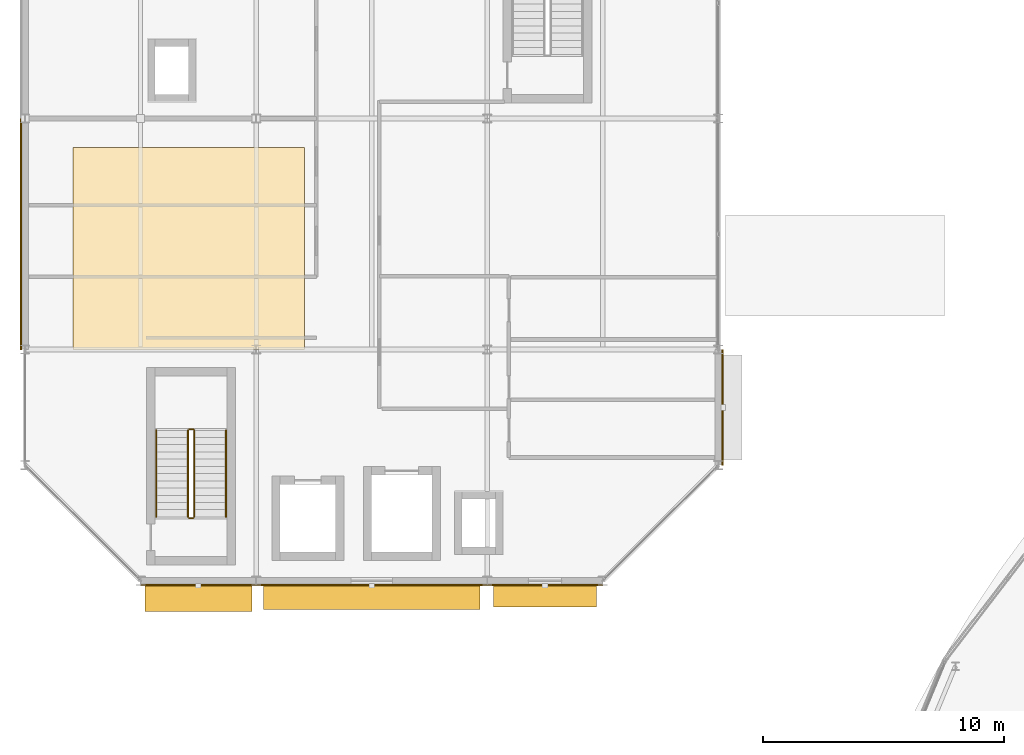
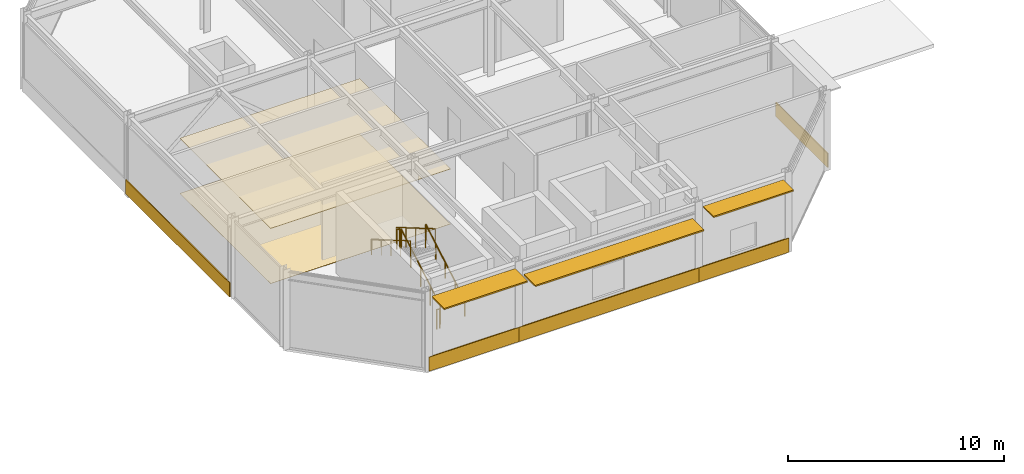
# One storey, part 120 of 133: 7 coverings, 6 railings, 3 shading devices.
"""IFC4 building model written with IfcOpenShell, lengths in metres."""

from ifc_helpers import new_model, si_unit, direction, frame, origin, origin_2d, place, context, subcontext, project, spatial, polyline, rectangle, circle, outline, extrude, material, layer, layer_set, type_object, element, save


model = new_model("IFC4")

# Units and contexts
model_context = context("Model", 3, precision=1e-05, world=origin(), true_north=direction((0.0, 1.0)))
body_context = subcontext(model_context, "Body", "Model", "MODEL_VIEW")
ifc_project = project(units=[si_unit("LENGTHUNIT", "METRE"), si_unit("AREAUNIT", "SQUARE_METRE"), si_unit("VOLUMEUNIT", "CUBIC_METRE"), si_unit("PLANEANGLEUNIT", "RADIAN"), si_unit("MASSUNIT", "GRAM", prefix="KILO")], contexts=[model_context])

# Site, building, storey
site_placement = place(None, origin())
site = spatial("IfcSite", under=ifc_project, at=site_placement, CompositionType="ELEMENT")
building_placement = place(site_placement, origin())
building = spatial("IfcBuilding", under=site, at=building_placement, Name="Almandine Court Research Institute", CompositionType="ELEMENT")
storey_placement = place(building_placement, frame((0.0, 0.0, 9.800048828125)))
storey = spatial("IfcBuildingStorey", under=building, at=storey_placement, Name="L02", CompositionType="ELEMENT", Elevation=9.800048828125)

# Coverings
ifc_material_1 = material(Name="Mineral Fibre Acoustic Suspended Ceiling Tile")
ifc_layer_1 = layer(ifc_material_1, 0.02490234375)
ifc_layer_set_1 = layer_set([ifc_layer_1], Name="Mineral Fibre Acoustic Suspended Ceiling Tile")
covering_type_1 = type_object("IfcCoveringType", Name="Cov-CEIL-ACOU", PredefinedType="CEILING", material=ifc_layer_set_1)
covering_1_placement = place(storey_placement, frame((0.0, 0.0, 3.099853515625)))
element("IfcCovering", 1, at=covering_1_placement, inside=storey, type_object=covering_type_1, Name="L02 Cleanroom and Laboratory Suspended Ceiling", PredefinedType="CEILING", context=body_context, shape_type="SweptSolid", body=[
    extrude(outline(polyline([(8.0, 93.60009765625), (17.60009765625, 93.60009765625), (17.60009765625, 102.0), (8.0, 102.0), (8.0, 93.60009765625)])), origin(), (0.0, 0.0, 1.0), 0.025146484375),
])
ifc_material_2 = material(Name="Extruded Cream-Ochre Seismic Terracotta Spandrel", Category="masonry")
ifc_layer_2 = layer(ifc_material_2, 0.054931640625)
ifc_layer_set_2 = layer_set([ifc_layer_2], Name="Extruded Cream-Ochre Seismic Terracotta Spandrel")
covering_type_2 = type_object("IfcCoveringType", Name="Cov-CLAD-TERR", PredefinedType="CLADDING", material=ifc_layer_set_2)
covering_2_placement = place(storey_placement, frame((5.830078125, 98.39990234375, 0.02001953125), z_axis=(0.0, 0.0, 1.0), x_axis=(0.0, 1.0, 0.0)))
element("IfcCovering", 2, at=covering_2_placement, inside=storey, type_object=covering_type_2, Name="L02 Facade Spandrel Cladding Band 58", PredefinedType="CLADDING", context=body_context, shape_type="SweptSolid", body=[
    extrude(rectangle(XDim=9.592041015625, YDim=0.054931640625, at=origin_2d()), origin(), (0.0, 0.0, 1.0), 0.800048828125),
])
for number, where, z_axis, x_axis, name in (
    (3, (34.969970703125, 91.199951171875, 0.02001953125), (0.0, 0.0, 1.0), (0.0, -1.0, 0.0), "L02 Facade Spandrel Cladding Band 63"),
    (4, (27.60009765625, 83.8291015625, 0.02001953125), (0.0, 0.0, 1.0), (-1.0, 0.0, 0.0), "L02 Facade Spandrel Cladding Band 64"),
):
    element("IfcCovering", number, at=place(storey_placement, frame(where, z_axis=z_axis, x_axis=x_axis)), inside=storey, type_object=covering_type_2, Name=name, PredefinedType="CLADDING", context=body_context, shape_type="SweptSolid", body=[
        extrude(rectangle(XDim=4.7919921875, YDim=0.054931640625, at=origin_2d()), origin(), (0.0, 0.0, 1.0), 0.800048828125),
    ])
covering_3_placement = place(storey_placement, frame((20.39990234375, 83.8291015625, 0.02001953125), z_axis=(0.0, 0.0, 1.0), x_axis=(-1.0, 0.0, 0.0)))
element("IfcCovering", 5, at=covering_3_placement, inside=storey, type_object=covering_type_2, Name="L02 Facade Spandrel Cladding Band 65", PredefinedType="CLADDING", context=body_context, shape_type="SweptSolid", body=[
    extrude(rectangle(XDim=9.592041015625, YDim=0.054931640625, at=origin_2d()), origin(), (0.0, 0.0, 1.0), 0.800048828125),
])
covering_4_placement = place(storey_placement, frame((13.199951171875, 83.8291015625, 0.02001953125), z_axis=(0.0, 0.0, 1.0), x_axis=(-1.0, 0.0, 0.0)))
element("IfcCovering", 6, at=covering_4_placement, inside=storey, type_object=covering_type_2, Name="L02 Facade Spandrel Cladding Band 66", PredefinedType="CLADDING", context=body_context, shape_type="SweptSolid", body=[
    extrude(rectangle(XDim=4.7919921875, YDim=0.054931640625, at=origin_2d()), origin(), (0.0, 0.0, 1.0), 0.800048828125),
])
ifc_material_3 = material(Name="Seamless Chemical-Resistant Cleanroom Epoxy Flooring")
ifc_layer_3 = layer(ifc_material_3, 0.011962890625)
ifc_layer_set_3 = layer_set([ifc_layer_3], Name="Seamless Chemical-Resistant Cleanroom Epoxy Flooring")
covering_type_3 = type_object("IfcCoveringType", Name="Cov-FLR-EPOXY", PredefinedType="FLOORING", material=ifc_layer_set_3)
covering_5_placement = place(storey_placement, origin())
element("IfcCovering", 7, at=covering_5_placement, inside=storey, type_object=covering_type_3, Name="L02 Cleanroom Seamless Epoxy Flooring", PredefinedType="FLOORING", context=body_context, shape_type="SweptSolid", body=[
    extrude(outline(polyline([(8.0, 93.60009765625), (17.60009765625, 93.60009765625), (17.60009765625, 102.0), (8.0, 102.0), (8.0, 93.60009765625)])), origin(), (0.0, 0.0, 1.0), 0.011962890625),
])

# Railings
ifc_material_4 = material(Name="Powder-Coated Steel Stair and Atrium Balustrade", Category="steel")
railing_type_1 = type_object("IfcRailingType", Name="Rail-GUARD-INT", PredefinedType="BALUSTRADE", material=ifc_material_4)
railing_1_placement = place(storey_placement, frame((13.030029296875, 86.64990234375, 0.175048828125)))
element("IfcRailing", 8, at=railing_1_placement, inside=storey, type_object=railing_type_1, Name="L02 ST-05 stair guard 1", PredefinedType="BALUSTRADE", context=body_context, shape_type="SweptSolid", body=[
    extrude(circle(Radius=0.02392578125, at=origin_2d()), frame((0.0, 0.0, 1.09619140625), z_axis=(0.0, 0.863800146258, 0.503834603144), x_axis=(-1.0, 0.0, 0.0)), (0.0, 0.0, 1.0), 4.167724609375),
    extrude(circle(Radius=0.02099609375, at=origin_2d()), origin(), (0.0, 0.0, 1.0), 1.072021484375),
    extrude(circle(Radius=0.02099609375, at=origin_2d()), frame((0.0, 0.89990234375, 0.52490234375)), (0.0, 0.0, 1.0), 1.072021484375),
    extrude(circle(Radius=0.02099609375, at=origin_2d()), frame((0.0, 1.800048828125, 1.0498046875)), (0.0, 0.0, 1.0), 1.072021484375),
    extrude(circle(Radius=0.02099609375, at=origin_2d()), frame((0.0, 2.7001953125, 1.574951171875)), (0.0, 0.0, 1.0), 1.072021484375),
    extrude(circle(Radius=0.02099609375, at=origin_2d()), frame((0.0, 3.60009765625, 2.099853515625)), (0.0, 0.0, 1.0), 1.072021484375),
])
railing_2_placement = place(storey_placement, frame((12.97998046875, 90.300048828125, 2.27490234375)))
element("IfcRailing", 9, at=railing_2_placement, inside=storey, type_object=railing_type_1, Name="L02 ST-05 stair guard 2", PredefinedType="BALUSTRADE", context=body_context, shape_type="SweptSolid", body=[
    extrude(circle(Radius=0.02392578125, at=origin_2d()), frame((0.0, 0.0, 1.09619140625), z_axis=(-1.0, 0.0, 0.0), x_axis=(0.0, -1.0, 0.0)), (0.0, 0.0, 1.0), 0.159912109375),
    extrude(circle(Radius=0.02099609375, at=origin_2d()), origin(), (0.0, 0.0, 1.0), 1.072021484375),
    extrude(circle(Radius=0.02099609375, at=origin_2d()), frame((-0.159912109375, 0.0, 0.0)), (0.0, 0.0, 1.0), 1.072021484375),
])
railing_3_placement = place(storey_placement, frame((12.77001953125, 90.25, 2.449951171875)))
element("IfcRailing", 10, at=railing_3_placement, inside=storey, type_object=railing_type_1, Name="L02 ST-05 stair guard 3", PredefinedType="BALUSTRADE", context=body_context, shape_type="SweptSolid", body=[
    extrude(circle(Radius=0.02392578125, at=origin_2d()), frame((0.0, 0.0, 1.09619140625), z_axis=(0.0, -0.863774651768, 0.503878309678), x_axis=(1.0, 0.0, 0.0)), (0.0, 0.0, 1.0), 4.16796875),
    extrude(circle(Radius=0.02099609375, at=origin_2d()), origin(), (0.0, 0.0, 1.0), 1.072021484375),
    extrude(circle(Radius=0.02099609375, at=origin_2d()), frame((0.0, -0.89990234375, 0.52490234375)), (0.0, 0.0, 1.0), 1.072021484375),
    extrude(circle(Radius=0.02099609375, at=origin_2d()), frame((0.0, -1.800048828125, 1.050048828125)), (0.0, 0.0, 1.0), 1.072021484375),
    extrude(circle(Radius=0.02099609375, at=origin_2d()), frame((0.0, -2.7001953125, 1.5751953125)), (0.0, 0.0, 1.0), 1.072021484375),
    extrude(circle(Radius=0.02099609375, at=origin_2d()), frame((0.0, -3.60009765625, 2.10009765625)), (0.0, 0.0, 1.0), 1.072021484375),
])
railing_4_placement = place(storey_placement, frame((12.97998046875, 86.60009765625, 0.0)))
element("IfcRailing", 11, at=railing_4_placement, inside=storey, type_object=railing_type_1, Name="L02 ST-05 stair guard 4", PredefinedType="BALUSTRADE", context=body_context, shape_type="SweptSolid", body=[
    extrude(circle(Radius=0.02392578125, at=origin_2d()), frame((0.0, 0.0, 1.09619140625), z_axis=(-1.0, 0.0, 0.0), x_axis=(0.0, -1.0, 0.0)), (0.0, 0.0, 1.0), 0.159912109375),
    extrude(circle(Radius=0.02099609375, at=origin_2d()), origin(), (0.0, 0.0, 1.0), 1.072021484375),
    extrude(circle(Radius=0.02099609375, at=origin_2d()), frame((-0.159912109375, 0.0, 0.0)), (0.0, 0.0, 1.0), 1.072021484375),
])
ifc_material_5 = material(Name="Brushed Stainless Steel Wall Handrail", Category="steel")
railing_type_2 = type_object("IfcRailingType", Name="Rail-HAND-INT", PredefinedType="HANDRAIL", material=ifc_material_5)
railing_5_placement = place(storey_placement, frame((14.35009765625, 86.64990234375, 0.175048828125)))
element("IfcRailing", 12, at=railing_5_placement, inside=storey, type_object=railing_type_2, Name="L02 ST-05 stair handrail 1", PredefinedType="HANDRAIL", context=body_context, shape_type="SweptSolid", body=[
    extrude(circle(Radius=0.02392578125, at=origin_2d()), frame((0.0, 0.0, 0.8759765625), z_axis=(0.0, 0.863800146258, 0.503834603144), x_axis=(-1.0, 0.0, 0.0)), (0.0, 0.0, 1.0), 4.167724609375),
    extrude(circle(Radius=0.02099609375, at=origin_2d()), origin(), (0.0, 0.0, 1.0), 0.851806640625),
    extrude(circle(Radius=0.02099609375, at=origin_2d()), frame((0.0, 0.89990234375, 0.52490234375)), (0.0, 0.0, 1.0), 0.851806640625),
    extrude(circle(Radius=0.02099609375, at=origin_2d()), frame((0.0, 1.800048828125, 1.0498046875)), (0.0, 0.0, 1.0), 0.851806640625),
    extrude(circle(Radius=0.02099609375, at=origin_2d()), frame((0.0, 2.7001953125, 1.574951171875)), (0.0, 0.0, 1.0), 0.851806640625),
    extrude(circle(Radius=0.02099609375, at=origin_2d()), frame((0.0, 3.60009765625, 2.099853515625)), (0.0, 0.0, 1.0), 0.851806640625),
])
railing_6_placement = place(storey_placement, frame((11.449951171875, 90.25, 2.449951171875)))
element("IfcRailing", 13, at=railing_6_placement, inside=storey, type_object=railing_type_2, Name="L02 ST-05 stair handrail 2", PredefinedType="HANDRAIL", context=body_context, shape_type="SweptSolid", body=[
    extrude(circle(Radius=0.02392578125, at=origin_2d()), frame((0.0, 0.0, 0.8759765625), z_axis=(0.0, -0.863774651768, 0.503878309678), x_axis=(1.0, 0.0, 0.0)), (0.0, 0.0, 1.0), 4.16796875),
    extrude(circle(Radius=0.02099609375, at=origin_2d()), origin(), (0.0, 0.0, 1.0), 0.851806640625),
    extrude(circle(Radius=0.02099609375, at=origin_2d()), frame((0.0, -0.89990234375, 0.52490234375)), (0.0, 0.0, 1.0), 0.851806640625),
    extrude(circle(Radius=0.02099609375, at=origin_2d()), frame((0.0, -1.800048828125, 1.050048828125)), (0.0, 0.0, 1.0), 0.851806640625),
    extrude(circle(Radius=0.02099609375, at=origin_2d()), frame((0.0, -2.7001953125, 1.5751953125)), (0.0, 0.0, 1.0), 0.851806640625),
    extrude(circle(Radius=0.02099609375, at=origin_2d()), frame((0.0, -3.60009765625, 2.10009765625)), (0.0, 0.0, 1.0), 0.851806640625),
])

# Shading devices
ifc_material_6 = material(Name="Precast GFRC Chhajja Sunshade and Acoustic Louvre", Category="concrete")
ifc_layer_4 = layer(ifc_material_6, 0.080078125)
ifc_layer_set_4 = layer_set([ifc_layer_4], Name="Precast GFRC Chhajja Sunshade and Acoustic Louvre")
shading_device_type_1 = type_object("IfcShadingDeviceType", Name="Shd-SD-25", PredefinedType="AWNING", material=ifc_layer_set_4)
shading_device_1_placement = place(storey_placement, frame((27.60009765625, 83.389892578125, 4.08984375), z_axis=(0.0, 0.0, 1.0), x_axis=(-1.0, 0.0, 0.0)))
element("IfcShadingDevice", 14, at=shading_device_1_placement, inside=storey, type_object=shading_device_type_1, Name="L02 Projecting Chhajja Sunshade 34", PredefinedType="AWNING", context=body_context, shape_type="SweptSolid", body=[
    extrude(rectangle(XDim=4.281982421875, YDim=0.949951171875, at=origin_2d()), origin(), (0.0, 0.0, 1.0), 0.080078125),
])
ifc_layer_5 = layer(ifc_material_6, 0.080078125)
ifc_layer_set_5 = layer_set([ifc_layer_5], Name="Precast GFRC Chhajja Sunshade and Acoustic Louvre")
shading_device_type_2 = type_object("IfcShadingDeviceType", Name="Shd-SD-26", PredefinedType="AWNING", material=ifc_layer_set_5)
shading_device_2_placement = place(storey_placement, frame((20.39990234375, 83.340087890625, 3.60400390625), z_axis=(0.0, 0.0, 1.0), x_axis=(-1.0, 0.0, 0.0)))
element("IfcShadingDevice", 15, at=shading_device_2_placement, inside=storey, type_object=shading_device_type_2, Name="L02 Projecting Chhajja Sunshade 35", PredefinedType="AWNING", context=body_context, shape_type="SweptSolid", body=[
    extrude(rectangle(XDim=9.001953125, YDim=1.050048828125, at=origin_2d()), origin(), (0.0, 0.0, 1.0), 0.080078125),
])
ifc_layer_6 = layer(ifc_material_6, 0.080078125)
ifc_layer_set_6 = layer_set([ifc_layer_6], Name="Precast GFRC Chhajja Sunshade and Acoustic Louvre")
shading_device_type_3 = type_object("IfcShadingDeviceType", Name="Shd-SD-27", PredefinedType="AWNING", material=ifc_layer_set_6)
shading_device_3_placement = place(storey_placement, frame((13.199951171875, 83.2900390625, 4.08984375), z_axis=(0.0, 0.0, 1.0), x_axis=(-1.0, 0.0, 0.0)))
element("IfcShadingDevice", 16, at=shading_device_3_placement, inside=storey, type_object=shading_device_type_3, Name="L02 Projecting Chhajja Sunshade 36", PredefinedType="AWNING", context=body_context, shape_type="SweptSolid", body=[
    extrude(rectangle(XDim=4.44189453125, YDim=1.14990234375, at=origin_2d()), origin(), (0.0, 0.0, 1.0), 0.080078125),
])

save(model, "model.ifc")
